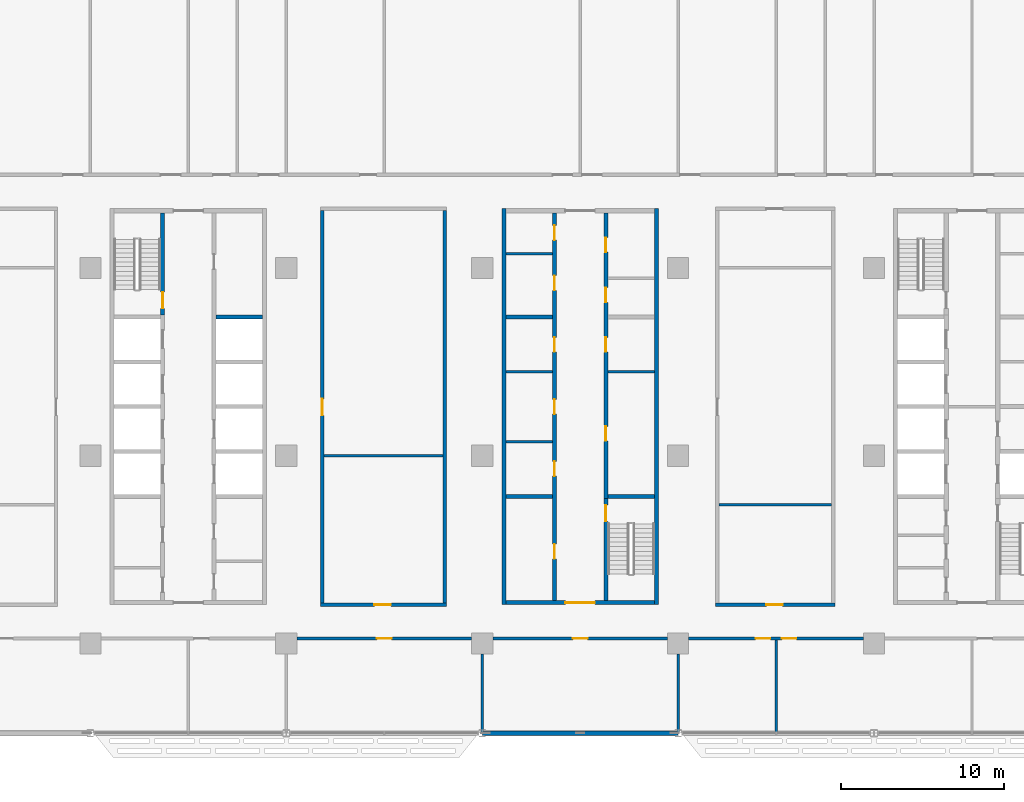
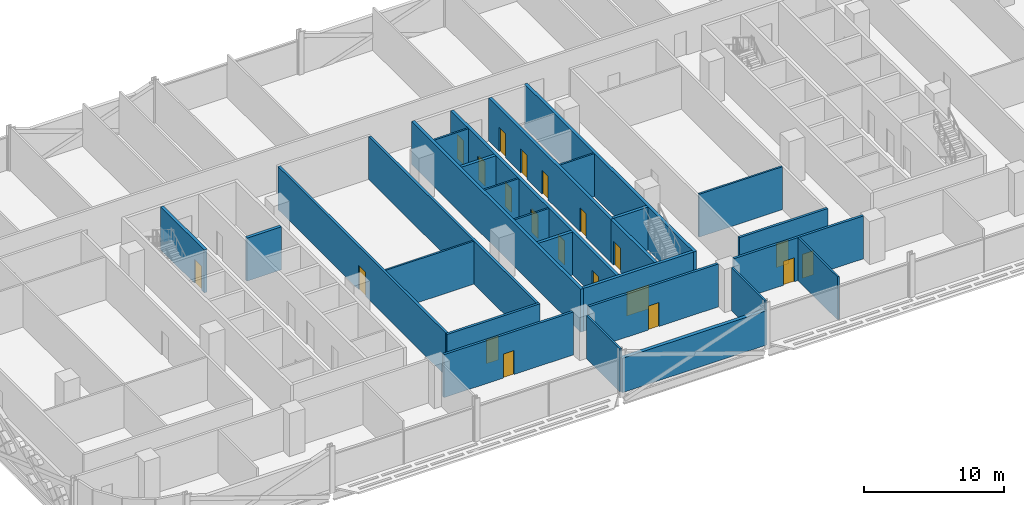
# One storey, part 14 of 29: 28 walls, 20 doors, 20 openings.
"""IFC4 building model written with IfcOpenShell, lengths in metres."""

from ifc_helpers import new_model, si_unit, direction, frame, frame_2d, origin, place, context, subcontext, project, spatial, rectangle, extrude, material, layer, layer_set, type_object, element, fill, save


model = new_model("IFC4")

# Units and contexts
model_context = context("Model", 3, precision=1e-05, world=origin(), true_north=direction((0.0, 1.0)))
body_context = subcontext(model_context, "Body", "Model", "MODEL_VIEW")
ifc_project = project(units=[si_unit("LENGTHUNIT", "METRE"), si_unit("AREAUNIT", "SQUARE_METRE"), si_unit("VOLUMEUNIT", "CUBIC_METRE"), si_unit("PLANEANGLEUNIT", "RADIAN"), si_unit("MASSUNIT", "GRAM", prefix="KILO")], contexts=[model_context])

# Site, building, storey
site_placement = place(None, origin())
site = spatial("IfcSite", under=ifc_project, at=site_placement, CompositionType="ELEMENT")
building_placement = place(site_placement, origin())
building = spatial("IfcBuilding", under=site, at=building_placement, Name="Mahtab Terrace Research Tower", CompositionType="ELEMENT")
storey_placement = place(building_placement, frame((0.0, 0.0, 126.10009765625)))
storey = spatial("IfcBuildingStorey", under=building, at=storey_placement, Name="L29", CompositionType="ELEMENT", Elevation=126.10009765625)

# Walls
ifc_material_1 = material(Name="Gypsum board partition")
ifc_layer_1 = layer(ifc_material_1, 0.14990234375)
ifc_layer_set_1 = layer_set([ifc_layer_1], Name="Core partition 150")
wall_type_1 = type_object("IfcWallType", Name="Core partition 150", PredefinedType="PARTITIONING", material=ifc_layer_set_1)
for number, where, z_axis, x_axis, name in (
    (1, (-4.550048828125, 0.85009765625, 0.0), (0.0, 0.0, 1.0), (1.0, 0.0, 0.0), "Core wall B pWL-215"),
    (2, (-4.550048828125, 5.14990234375, 0.0), (0.0, 0.0, 1.0), (1.0, 0.0, 0.0), "Core wall B pWL215"),
    (3, (1.699951171875, 5.14990234375, 0.0), (0.0, 0.0, 1.0), (1.0, 0.0, 0.0), "Core wall B pEL215"),
    (4, (-4.550048828125, 12.35498046875, 0.0), (0.0, 0.0, 1.0), (1.0, 0.0, 0.0), "Core wall B pWN936"),
):
    element("IfcWall", number, at=place(storey_placement, frame(where, z_axis=z_axis, x_axis=x_axis)), inside=storey, type_object=wall_type_1, Name=name, PredefinedType="PARTITIONING", context=body_context, shape_type="SweptSolid", body=[
        extrude(rectangle(XDim=2.85009765625, YDim=0.14990234375, at=frame_2d((1.425048828125, 0.0))), origin(), (0.0, 0.0, 1.0), 3.760009765625),
    ])

# Wall, opening, door
ifc_material_2 = material(Name="Concrete C70/85", Category="concrete")
ifc_layer_2 = layer(ifc_material_2, 0.25)
ifc_layer_set_2 = layer_set([ifc_layer_2], Name="Core wall 250")
wall_type_2 = type_object("IfcWallType", Name="Core wall 250", PredefinedType="SOLIDWALL", material=ifc_layer_set_2)
wall_1_placement = place(storey_placement, frame((-25.574951171875, 14.875, 0.0), z_axis=(0.0, 0.0, 1.0), x_axis=(0.0, -1.0, 0.0)))
wall_1 = element("IfcWall", 5, at=wall_1_placement, inside=storey, type_object=wall_type_2, Name="Core wall A innerWN", PredefinedType="SOLIDWALL", context=body_context, shape_type="SweptSolid", body=[
    extrude(rectangle(XDim=6.25, YDim=0.25, at=frame_2d((3.125, 0.0))), origin(), (0.0, 0.0, 1.0), 3.760009765625),
])
opening_1_placement = place(wall_1_placement, frame((4.85009765625, 0.0, 0.0)))
opening_1 = element("IfcOpeningElement", 6, at=opening_1_placement, cuts=wall_1, Name="Opening A-ST1", PredefinedType="OPENING", context=body_context, shape_type="SweptSolid", body=[
    extrude(rectangle(XDim=1.0, YDim=2.10009765625, at=frame_2d((0.5, 1.050048828125))), frame((0.0, 0.135009765625, 0.0), z_axis=(0.0, -1.0, 0.0), x_axis=(1.0, 0.0, 0.0)), (0.0, 0.0, 1.0), 0.27001953125),
])
ifc_material_3 = material(Name="Steel fire door", Category="steel")
door_type_1 = type_object("IfcDoorType", Name="Stair door 1000x2100 1.5 HR", OperationType="NOTDEFINED", PredefinedType="DOOR", material=ifc_material_3)
door_1_placement = place(opening_1_placement, origin())
door_1 = element("IfcDoor", 7, at=door_1_placement, inside=storey, type_object=door_type_1, Name="Stair door ST1 L29", OperationType="SINGLE_SWING_RIGHT", OverallHeight=2.10009765625, OverallWidth=1.0, PredefinedType="DOOR", context=body_context, shape_type="SweptSolid", body=[
    extrude(rectangle(XDim=1.0, YDim=2.10009765625, at=frame_2d((0.5, 1.050048828125))), frame((0.0, 0.02490234375, 0.0), z_axis=(0.0, -1.0, 0.0), x_axis=(1.0, 0.0, 0.0)), (0.0, 0.0, 1.0), 0.050048828125),
])
fill(opening_1, door_1)

# Walls
wall_2_placement = place(storey_placement, frame((-22.300048828125, 8.5, 0.0), z_axis=(0.0, 0.0, 1.0), x_axis=(1.0, 0.0, 0.0)))
element("IfcWall", 8, at=wall_2_placement, inside=storey, type_object=wall_type_2, Name="Core wall A divE4", PredefinedType="SOLIDWALL", context=body_context, shape_type="SweptSolid", body=[
    extrude(rectangle(XDim=2.85009765625, YDim=0.25, at=frame_2d((1.425048828125, 0.0))), origin(), (0.0, 0.0, 1.0), 3.760009765625),
])
for number, where, z_axis, x_axis, name in (
    (9, (-4.675048828125, 15.125, 0.0), (0.0, 0.0, 1.0), (0.0, -1.0, 0.0), "Core wall B outerW"),
    (10, (4.675048828125, -9.125, 0.0), (0.0, 0.0, 1.0), (0.0, 1.0, 0.0), "Core wall B outerE"),
):
    element("IfcWall", number, at=place(storey_placement, frame(where, z_axis=z_axis, x_axis=x_axis)), inside=storey, type_object=wall_type_2, Name=name, PredefinedType="SOLIDWALL", context=body_context, shape_type="SweptSolid", body=[
        extrude(rectangle(XDim=24.25, YDim=0.25, at=frame_2d((12.125, 0.0))), origin(), (0.0, 0.0, 1.0), 3.760009765625),
    ])

# Wall, opening, door
wall_3_placement = place(storey_placement, frame((4.550048828125, -9.0, 0.0), z_axis=(0.0, 0.0, 1.0), x_axis=(-1.0, 0.0, 0.0)))
wall_3 = element("IfcWall", 11, at=wall_3_placement, inside=storey, type_object=wall_type_2, Name="Core wall B endS", PredefinedType="SOLIDWALL", context=body_context, shape_type="SweptSolid", body=[
    extrude(rectangle(XDim=9.10009765625, YDim=0.25, at=frame_2d((4.550048828125, 0.0))), origin(), (0.0, 0.0, 1.0), 3.760009765625),
])
opening_2_placement = place(wall_3_placement, frame((3.64990234375, 0.0, 0.0)))
opening_2 = element("IfcOpeningElement", 12, at=opening_2_placement, cuts=wall_3, Name="Opening B-S1", PredefinedType="OPENING", context=body_context, shape_type="SweptSolid", body=[
    extrude(rectangle(XDim=1.800048828125, YDim=2.10009765625, at=frame_2d((0.89990234375, 1.050048828125))), frame((0.0, 0.135009765625, 0.0), z_axis=(0.0, -1.0, 0.0), x_axis=(1.0, 0.0, 0.0)), (0.0, 0.0, 1.0), 0.27001953125),
])
door_type_2 = type_object("IfcDoorType", Name="Lobby double door 1800x2100 1 HR", OperationType="DOUBLE_DOOR_SINGLE_SWING", PredefinedType="DOOR", material=ifc_material_3)
door_2_placement = place(opening_2_placement, origin())
door_2 = element("IfcDoor", 13, at=door_2_placement, inside=storey, type_object=door_type_2, Name="Core entrance door B S", OperationType="DOUBLE_DOOR_SINGLE_SWING", OverallHeight=2.10009765625, OverallWidth=1.800048828125, PredefinedType="DOOR", context=body_context, shape_type="SweptSolid", body=[
    extrude(rectangle(XDim=1.800048828125, YDim=2.10009765625, at=frame_2d((0.89990234375, 1.050048828125))), frame((0.0, 0.02490234375, 0.0), z_axis=(0.0, -1.0, 0.0), x_axis=(1.0, 0.0, 0.0)), (0.0, 0.0, 1.0), 0.050048828125),
])
fill(opening_2, door_2)

# Wall, openings, doors
wall_4_placement = place(storey_placement, frame((-1.574951171875, -8.875, 0.0), z_axis=(0.0, 0.0, 1.0), x_axis=(0.0, 1.0, 0.0)))
wall_4 = element("IfcWall", 14, at=wall_4_placement, inside=storey, type_object=wall_type_2, Name="Core wall B innerWSLN", PredefinedType="SOLIDWALL", context=body_context, shape_type="SweptSolid", body=[
    extrude(rectangle(XDim=23.75, YDim=0.25, at=frame_2d((11.875, 0.0))), origin(), (0.0, 0.0, 1.0), 3.760009765625),
])
opening_3_placement = place(wall_4_placement, frame((7.625, 0.0, 0.0)))
opening_3 = element("IfcOpeningElement", 15, at=opening_3_placement, cuts=wall_4, Name="Opening B-R1", PredefinedType="OPENING", context=body_context, shape_type="SweptSolid", body=[
    extrude(rectangle(XDim=0.89990234375, YDim=2.10009765625, at=frame_2d((0.449951171875, 1.050048828125))), frame((0.0, 0.135009765625, 0.0), z_axis=(0.0, -1.0, 0.0), x_axis=(1.0, 0.0, 0.0)), (0.0, 0.0, 1.0), 0.27001953125),
])
opening_4_placement = place(wall_4_placement, frame((11.425048828125, 0.0, 0.0)))
opening_4 = element("IfcOpeningElement", 16, at=opening_4_placement, cuts=wall_4, Name="Opening B-R2", PredefinedType="OPENING", context=body_context, shape_type="SweptSolid", body=[
    extrude(rectangle(XDim=0.89990234375, YDim=2.10009765625, at=frame_2d((0.449951171875, 1.050048828125))), frame((0.0, 0.135009765625, 0.0), z_axis=(0.0, -1.0, 0.0), x_axis=(1.0, 0.0, 0.0)), (0.0, 0.0, 1.0), 0.27001953125),
])
opening_5_placement = place(wall_4_placement, frame((15.22509765625, 0.0, 0.0)))
opening_5 = element("IfcOpeningElement", 17, at=opening_5_placement, cuts=wall_4, Name="Opening B-R3", PredefinedType="OPENING", context=body_context, shape_type="SweptSolid", body=[
    extrude(rectangle(XDim=0.89990234375, YDim=2.10009765625, at=frame_2d((0.449951171875, 1.050048828125))), frame((0.0, 0.135009765625, 0.0), z_axis=(0.0, -1.0, 0.0), x_axis=(1.0, 0.0, 0.0)), (0.0, 0.0, 1.0), 0.27001953125),
])
opening_6_placement = place(wall_4_placement, frame((2.550048828125, 0.0, 0.0)))
opening_6 = element("IfcOpeningElement", 18, at=opening_6_placement, cuts=wall_4, Name="Opening B-R6", PredefinedType="OPENING", context=body_context, shape_type="SweptSolid", body=[
    extrude(rectangle(XDim=0.89990234375, YDim=2.10009765625, at=frame_2d((0.449951171875, 1.050048828125))), frame((0.0, 0.135009765625, 0.0), z_axis=(0.0, -1.0, 0.0), x_axis=(1.0, 0.0, 0.0)), (0.0, 0.0, 1.0), 0.27001953125),
])
opening_7_placement = place(wall_4_placement, frame((19.00244140625, 0.0, 0.0)))
opening_7 = element("IfcOpeningElement", 19, at=opening_7_placement, cuts=wall_4, Name="Opening B-R7", PredefinedType="OPENING", context=body_context, shape_type="SweptSolid", body=[
    extrude(rectangle(XDim=0.89990234375, YDim=2.10009765625, at=frame_2d((0.449951171875, 1.050048828125))), frame((0.0, 0.135009765625, 0.0), z_axis=(0.0, -1.0, 0.0), x_axis=(1.0, 0.0, 0.0)), (0.0, 0.0, 1.0), 0.27001953125),
])
opening_8_placement = place(wall_4_placement, frame((22.077392578125, 0.0, 0.0)))
opening_8 = element("IfcOpeningElement", 20, at=opening_8_placement, cuts=wall_4, Name="Opening B-R8", PredefinedType="OPENING", context=body_context, shape_type="SweptSolid", body=[
    extrude(rectangle(XDim=0.89990234375, YDim=2.10009765625, at=frame_2d((0.449951171875, 1.050048828125))), frame((0.0, 0.135009765625, 0.0), z_axis=(0.0, -1.0, 0.0), x_axis=(1.0, 0.0, 0.0)), (0.0, 0.0, 1.0), 0.27001953125),
])
door_type_3 = type_object("IfcDoorType", Name="Room door 900x2100 1 HR", OperationType="NOTDEFINED", PredefinedType="DOOR", material=ifc_material_3)
door_3_placement = place(opening_3_placement, origin())
door_3 = element("IfcDoor", 21, at=door_3_placement, inside=storey, type_object=door_type_3, Name="Electrical room door", OperationType="SINGLE_SWING_LEFT", OverallHeight=2.10009765625, OverallWidth=0.89990234375, PredefinedType="DOOR", context=body_context, shape_type="SweptSolid", body=[
    extrude(rectangle(XDim=0.89990234375, YDim=2.10009765625, at=frame_2d((0.449951171875, 1.050048828125))), frame((0.0, 0.02490234375, 0.0), z_axis=(0.0, -1.0, 0.0), x_axis=(1.0, 0.0, 0.0)), (0.0, 0.0, 1.0), 0.050048828125),
])
fill(opening_3, door_3)
door_4_placement = place(opening_4_placement, origin())
door_4 = element("IfcDoor", 22, at=door_4_placement, inside=storey, type_object=door_type_3, Name="Pantry door", OperationType="SINGLE_SWING_RIGHT", OverallHeight=2.10009765625, OverallWidth=0.89990234375, PredefinedType="DOOR", context=body_context, shape_type="SweptSolid", body=[
    extrude(rectangle(XDim=0.89990234375, YDim=2.10009765625, at=frame_2d((0.449951171875, 1.050048828125))), frame((0.0, 0.02490234375, 0.0), z_axis=(0.0, -1.0, 0.0), x_axis=(1.0, 0.0, 0.0)), (0.0, 0.0, 1.0), 0.050048828125),
])
fill(opening_4, door_4)
door_5_placement = place(opening_5_placement, origin())
door_5 = element("IfcDoor", 23, at=door_5_placement, inside=storey, type_object=door_type_3, Name="Housekeeping store door", OperationType="SINGLE_SWING_LEFT", OverallHeight=2.10009765625, OverallWidth=0.89990234375, PredefinedType="DOOR", context=body_context, shape_type="SweptSolid", body=[
    extrude(rectangle(XDim=0.89990234375, YDim=2.10009765625, at=frame_2d((0.449951171875, 1.050048828125))), frame((0.0, 0.02490234375, 0.0), z_axis=(0.0, -1.0, 0.0), x_axis=(1.0, 0.0, 0.0)), (0.0, 0.0, 1.0), 0.050048828125),
])
fill(opening_5, door_5)
door_6_placement = place(opening_6_placement, origin())
door_6 = element("IfcDoor", 24, at=door_6_placement, inside=storey, type_object=door_type_3, Name="Gas cylinder store door", OperationType="SINGLE_SWING_RIGHT", OverallHeight=2.10009765625, OverallWidth=0.89990234375, PredefinedType="DOOR", context=body_context, shape_type="SweptSolid", body=[
    extrude(rectangle(XDim=0.89990234375, YDim=2.10009765625, at=frame_2d((0.449951171875, 1.050048828125))), frame((0.0, 0.02490234375, 0.0), z_axis=(0.0, -1.0, 0.0), x_axis=(1.0, 0.0, 0.0)), (0.0, 0.0, 1.0), 0.050048828125),
])
fill(opening_6, door_6)
door_7_placement = place(opening_7_placement, origin())
door_7 = element("IfcDoor", 25, at=door_7_placement, inside=storey, type_object=door_type_3, Name="Pantry door", OperationType="SINGLE_SWING_LEFT", OverallHeight=2.10009765625, OverallWidth=0.89990234375, PredefinedType="DOOR", context=body_context, shape_type="SweptSolid", body=[
    extrude(rectangle(XDim=0.89990234375, YDim=2.10009765625, at=frame_2d((0.449951171875, 1.050048828125))), frame((0.0, 0.02490234375, 0.0), z_axis=(0.0, -1.0, 0.0), x_axis=(1.0, 0.0, 0.0)), (0.0, 0.0, 1.0), 0.050048828125),
])
fill(opening_7, door_7)
door_8_placement = place(opening_8_placement, origin())
door_8 = element("IfcDoor", 26, at=door_8_placement, inside=storey, type_object=door_type_3, Name="Linen store door", OperationType="SINGLE_SWING_RIGHT", OverallHeight=2.10009765625, OverallWidth=0.89990234375, PredefinedType="DOOR", context=body_context, shape_type="SweptSolid", body=[
    extrude(rectangle(XDim=0.89990234375, YDim=2.10009765625, at=frame_2d((0.449951171875, 1.050048828125))), frame((0.0, 0.02490234375, 0.0), z_axis=(0.0, -1.0, 0.0), x_axis=(1.0, 0.0, 0.0)), (0.0, 0.0, 1.0), 0.050048828125),
])
fill(opening_8, door_8)

# Wall, opening, door
wall_5_placement = place(storey_placement, frame((1.574951171875, -8.875, 0.0), z_axis=(0.0, 0.0, 1.0), x_axis=(0.0, 1.0, 0.0)))
wall_5 = element("IfcWall", 27, at=wall_5_placement, inside=storey, type_object=wall_type_2, Name="Core wall B innerES", PredefinedType="SOLIDWALL", context=body_context, shape_type="SweptSolid", body=[
    extrude(rectangle(XDim=6.25, YDim=0.25, at=frame_2d((3.125, 0.0))), origin(), (0.0, 0.0, 1.0), 3.760009765625),
])
opening_9_placement = place(wall_5_placement, frame((4.85009765625, 0.0, 0.0)))
opening_9 = element("IfcOpeningElement", 28, at=opening_9_placement, cuts=wall_5, Name="Opening B-ST2", PredefinedType="OPENING", context=body_context, shape_type="SweptSolid", body=[
    extrude(rectangle(XDim=1.0, YDim=2.10009765625, at=frame_2d((0.5, 1.050048828125))), frame((0.0, 0.135009765625, 0.0), z_axis=(0.0, -1.0, 0.0), x_axis=(1.0, 0.0, 0.0)), (0.0, 0.0, 1.0), 0.27001953125),
])
door_9_placement = place(opening_9_placement, origin())
door_9 = element("IfcDoor", 29, at=door_9_placement, inside=storey, type_object=door_type_1, Name="Stair door ST2 L29", OperationType="SINGLE_SWING_LEFT", OverallHeight=2.10009765625, OverallWidth=1.0, PredefinedType="DOOR", context=body_context, shape_type="SweptSolid", body=[
    extrude(rectangle(XDim=1.0, YDim=2.10009765625, at=frame_2d((0.5, 1.050048828125))), frame((0.0, 0.02490234375, 0.0), z_axis=(0.0, -1.0, 0.0), x_axis=(1.0, 0.0, 0.0)), (0.0, 0.0, 1.0), 0.050048828125),
])
fill(opening_9, door_9)

# Wall, openings, doors
wall_6_placement = place(storey_placement, frame((1.574951171875, 14.875, 0.0), z_axis=(0.0, 0.0, 1.0), x_axis=(0.0, -1.0, 0.0)))
wall_6 = element("IfcWall", 30, at=wall_6_placement, inside=storey, type_object=wall_type_2, Name="Core wall B innerELN", PredefinedType="SOLIDWALL", context=body_context, shape_type="SweptSolid", body=[
    extrude(rectangle(XDim=17.5, YDim=0.25, at=frame_2d((8.75, 0.0))), origin(), (0.0, 0.0, 1.0), 3.760009765625),
])
opening_10_placement = place(wall_6_placement, frame((13.074951171875, 0.0, 0.0)))
opening_10 = element("IfcOpeningElement", 31, at=opening_10_placement, cuts=wall_6, Name="Opening B-R4", PredefinedType="OPENING", context=body_context, shape_type="SweptSolid", body=[
    extrude(rectangle(XDim=0.89990234375, YDim=2.10009765625, at=frame_2d((0.449951171875, 1.050048828125))), frame((0.0, 0.135009765625, 0.0), z_axis=(0.0, -1.0, 0.0), x_axis=(1.0, 0.0, 0.0)), (0.0, 0.0, 1.0), 0.27001953125),
])
opening_11_placement = place(wall_6_placement, frame((7.625, 0.0, 0.0)))
opening_11 = element("IfcOpeningElement", 32, at=opening_11_placement, cuts=wall_6, Name="Opening B-R5", PredefinedType="OPENING", context=body_context, shape_type="SweptSolid", body=[
    extrude(rectangle(XDim=0.89990234375, YDim=2.10009765625, at=frame_2d((0.449951171875, 1.050048828125))), frame((0.0, 0.135009765625, 0.0), z_axis=(0.0, -1.0, 0.0), x_axis=(1.0, 0.0, 0.0)), (0.0, 0.0, 1.0), 0.27001953125),
])
opening_12_placement = place(wall_6_placement, frame((4.58740234375, 0.0, 0.0)))
opening_12 = element("IfcOpeningElement", 33, at=opening_12_placement, cuts=wall_6, Name="Opening B-R9", PredefinedType="OPENING", context=body_context, shape_type="SweptSolid", body=[
    extrude(rectangle(XDim=0.89990234375, YDim=2.10009765625, at=frame_2d((0.449951171875, 1.050048828125))), frame((0.0, 0.135009765625, 0.0), z_axis=(0.0, -1.0, 0.0), x_axis=(1.0, 0.0, 0.0)), (0.0, 0.0, 1.0), 0.27001953125),
])
opening_13_placement = place(wall_6_placement, frame((1.512451171875, 0.0, 0.0)))
opening_13 = element("IfcOpeningElement", 34, at=opening_13_placement, cuts=wall_6, Name="Opening B-R10", PredefinedType="OPENING", context=body_context, shape_type="SweptSolid", body=[
    extrude(rectangle(XDim=0.89990234375, YDim=2.10009765625, at=frame_2d((0.449951171875, 1.050048828125))), frame((0.0, 0.135009765625, 0.0), z_axis=(0.0, -1.0, 0.0), x_axis=(1.0, 0.0, 0.0)), (0.0, 0.0, 1.0), 0.27001953125),
])
door_10_placement = place(opening_10_placement, origin())
door_10 = element("IfcDoor", 35, at=door_10_placement, inside=storey, type_object=door_type_3, Name="Chemical store door", OperationType="SINGLE_SWING_RIGHT", OverallHeight=2.10009765625, OverallWidth=0.89990234375, PredefinedType="DOOR", context=body_context, shape_type="SweptSolid", body=[
    extrude(rectangle(XDim=0.89990234375, YDim=2.10009765625, at=frame_2d((0.449951171875, 1.050048828125))), frame((0.0, 0.02490234375, 0.0), z_axis=(0.0, -1.0, 0.0), x_axis=(1.0, 0.0, 0.0)), (0.0, 0.0, 1.0), 0.050048828125),
])
fill(opening_10, door_10)
door_11_placement = place(opening_11_placement, origin())
door_11 = element("IfcDoor", 36, at=door_11_placement, inside=storey, type_object=door_type_3, Name="Waste room door", OperationType="SINGLE_SWING_LEFT", OverallHeight=2.10009765625, OverallWidth=0.89990234375, PredefinedType="DOOR", context=body_context, shape_type="SweptSolid", body=[
    extrude(rectangle(XDim=0.89990234375, YDim=2.10009765625, at=frame_2d((0.449951171875, 1.050048828125))), frame((0.0, 0.02490234375, 0.0), z_axis=(0.0, -1.0, 0.0), x_axis=(1.0, 0.0, 0.0)), (0.0, 0.0, 1.0), 0.050048828125),
])
fill(opening_11, door_11)
door_12_placement = place(opening_12_placement, origin())
door_12 = element("IfcDoor", 37, at=door_12_placement, inside=storey, type_object=door_type_3, Name="Accessible WC door", OperationType="SINGLE_SWING_LEFT", OverallHeight=2.10009765625, OverallWidth=0.89990234375, PredefinedType="DOOR", context=body_context, shape_type="SweptSolid", body=[
    extrude(rectangle(XDim=0.89990234375, YDim=2.10009765625, at=frame_2d((0.449951171875, 1.050048828125))), frame((0.0, 0.02490234375, 0.0), z_axis=(0.0, -1.0, 0.0), x_axis=(1.0, 0.0, 0.0)), (0.0, 0.0, 1.0), 0.050048828125),
])
fill(opening_12, door_12)
door_13_placement = place(opening_13_placement, origin())
door_13 = element("IfcDoor", 38, at=door_13_placement, inside=storey, type_object=door_type_3, Name="WC block door", OperationType="SINGLE_SWING_RIGHT", OverallHeight=2.10009765625, OverallWidth=0.89990234375, PredefinedType="DOOR", context=body_context, shape_type="SweptSolid", body=[
    extrude(rectangle(XDim=0.89990234375, YDim=2.10009765625, at=frame_2d((0.449951171875, 1.050048828125))), frame((0.0, 0.02490234375, 0.0), z_axis=(0.0, -1.0, 0.0), x_axis=(1.0, 0.0, 0.0)), (0.0, 0.0, 1.0), 0.050048828125),
])
fill(opening_13, door_13)

# Walls
for number, where, z_axis, x_axis, name in (
    (39, (-4.550048828125, -2.5, 0.0), (0.0, 0.0, 1.0), (1.0, 0.0, 0.0), "Core wall B divW0"),
    (40, (-4.550048828125, 8.5, 0.0), (0.0, 0.0, 1.0), (1.0, 0.0, 0.0), "Core wall B divW4"),
    (41, (1.699951171875, -2.5, 0.0), (0.0, 0.0, 1.0), (1.0, 0.0, 0.0), "Core wall B divE0"),
):
    element("IfcWall", number, at=place(storey_placement, frame(where, z_axis=z_axis, x_axis=x_axis)), inside=storey, type_object=wall_type_2, Name=name, PredefinedType="SOLIDWALL", context=body_context, shape_type="SweptSolid", body=[
        extrude(rectangle(XDim=2.85009765625, YDim=0.25, at=frame_2d((1.425048828125, 0.0))), origin(), (0.0, 0.0, 1.0), 3.760009765625),
    ])
ifc_material_4 = material(Name="Black aluminium cladding panel", Category="aluminium")
ifc_layer_3 = layer(ifc_material_4, 0.300048828125)
ifc_layer_set_3 = layer_set([ifc_layer_3], Name="Opaque facade wall 300")
wall_type_3 = type_object("IfcWallType", Name="Opaque facade wall 300", PredefinedType="NOTDEFINED", material=ifc_layer_set_3)
wall_7_placement = place(storey_placement, frame((-5.982177734375, -17.0, 0.0), z_axis=(0.0, 0.0, 1.0), x_axis=(1.0, 0.0, 0.0)))
element("IfcWall", 42, at=wall_7_placement, inside=storey, type_object=wall_type_3, Name="Opaque facade wall L29 S27", PredefinedType="NOTDEFINED", context=body_context, shape_type="SweptSolid", body=[
    extrude(rectangle(XDim=11.96435546875, YDim=0.300048828125, at=frame_2d((5.982177734375, 0.0))), origin(), (0.0, 0.0, 1.0), 3.0029296875),
])

# Wall, opening, door
ifc_material_5 = material(Name="Gypsum board corridor wall on steel studs", Category="steel")
ifc_layer_4 = layer(ifc_material_5, 0.199951171875)
ifc_layer_set_4 = layer_set([ifc_layer_4], Name="WALL CORRIDOR 200")
wall_type_4 = type_object("IfcWallType", Name="WALL CORRIDOR 200", PredefinedType="PARTITIONING", material=ifc_layer_set_4)
wall_8_placement = place(storey_placement, frame((-17.35009765625, -11.199951171875, 0.0), z_axis=(0.0, 0.0, 1.0), x_axis=(1.0, 0.0, 0.0)))
wall_8 = element("IfcWall", 43, at=wall_8_placement, inside=storey, type_object=wall_type_4, Name="L29-W004", PredefinedType="PARTITIONING", context=body_context, shape_type="SweptSolid", body=[
    extrude(rectangle(XDim=10.7001953125, YDim=0.199951171875, at=frame_2d((5.35009765625, 0.0))), origin(), (0.0, 0.0, 1.0), 3.760009765625),
])
opening_14_placement = place(wall_8_placement, frame((4.89990234375, 0.0, 0.0)))
opening_14 = element("IfcOpeningElement", 44, at=opening_14_placement, cuts=wall_8, Name="Opening L29-104", PredefinedType="OPENING", context=body_context, shape_type="SweptSolid", body=[
    extrude(rectangle(XDim=0.89990234375, YDim=2.10009765625, at=frame_2d((0.449951171875, 1.050048828125))), frame((0.0, 0.10986328125, 0.0), z_axis=(0.0, -1.0, 0.0), x_axis=(1.0, 0.0, 0.0)), (0.0, 0.0, 1.0), 0.219970703125),
])
ifc_material_6 = material(Name="Timber door leaf in steel frame", Category="steel")
door_type_4 = type_object("IfcDoorType", Name="DOOR 0900X2100 FD30S", OperationType="SINGLE_SWING_LEFT", PredefinedType="DOOR", material=ifc_material_6)
door_14_placement = place(opening_14_placement, origin())
door_14 = element("IfcDoor", 45, at=door_14_placement, inside=storey, type_object=door_type_4, Name="Door L29-104", OperationType="SINGLE_SWING_LEFT", OverallHeight=2.10009765625, OverallWidth=0.89990234375, PredefinedType="DOOR", context=body_context, shape_type="SweptSolid", body=[
    extrude(rectangle(XDim=0.89990234375, YDim=2.10009765625, at=frame_2d((0.449951171875, 1.050048828125))), frame((0.0, 0.02490234375, 0.0), z_axis=(0.0, -1.0, 0.0), x_axis=(1.0, 0.0, 0.0)), (0.0, 0.0, 1.0), 0.050048828125),
])
fill(opening_14, door_14)

wall_9_placement = place(storey_placement, frame((-5.35009765625, -11.199951171875, 0.0), z_axis=(0.0, 0.0, 1.0), x_axis=(1.0, 0.0, 0.0)))
wall_9 = element("IfcWall", 46, at=wall_9_placement, inside=storey, type_object=wall_type_4, Name="L29-W005", PredefinedType="PARTITIONING", context=body_context, shape_type="SweptSolid", body=[
    extrude(rectangle(XDim=10.7001953125, YDim=0.199951171875, at=frame_2d((5.35009765625, 0.0))), origin(), (0.0, 0.0, 1.0), 3.760009765625),
])
opening_15_placement = place(wall_9_placement, frame((4.89990234375, 0.0, 0.0)))
opening_15 = element("IfcOpeningElement", 47, at=opening_15_placement, cuts=wall_9, Name="Opening L29-105", PredefinedType="OPENING", context=body_context, shape_type="SweptSolid", body=[
    extrude(rectangle(XDim=0.89990234375, YDim=2.10009765625, at=frame_2d((0.449951171875, 1.050048828125))), frame((0.0, 0.10986328125, 0.0), z_axis=(0.0, -1.0, 0.0), x_axis=(1.0, 0.0, 0.0)), (0.0, 0.0, 1.0), 0.219970703125),
])
door_15_placement = place(opening_15_placement, origin())
door_15 = element("IfcDoor", 48, at=door_15_placement, inside=storey, type_object=door_type_4, Name="Door L29-105", OperationType="SINGLE_SWING_LEFT", OverallHeight=2.10009765625, OverallWidth=0.89990234375, PredefinedType="DOOR", context=body_context, shape_type="SweptSolid", body=[
    extrude(rectangle(XDim=0.89990234375, YDim=2.10009765625, at=frame_2d((0.449951171875, 1.050048828125))), frame((0.0, 0.02490234375, 0.0), z_axis=(0.0, -1.0, 0.0), x_axis=(1.0, 0.0, 0.0)), (0.0, 0.0, 1.0), 0.050048828125),
])
fill(opening_15, door_15)

# Wall, openings, doors
wall_10_placement = place(storey_placement, frame((6.64990234375, -11.199951171875, 0.0), z_axis=(0.0, 0.0, 1.0), x_axis=(1.0, 0.0, 0.0)))
wall_10 = element("IfcWall", 49, at=wall_10_placement, inside=storey, type_object=wall_type_4, Name="L29-W006", PredefinedType="PARTITIONING", context=body_context, shape_type="SweptSolid", body=[
    extrude(rectangle(XDim=10.7001953125, YDim=0.199951171875, at=frame_2d((5.35009765625, 0.0))), origin(), (0.0, 0.0, 1.0), 3.760009765625),
])
opening_16_placement = place(wall_10_placement, frame((4.10009765625, 0.0, 0.0)))
opening_16 = element("IfcOpeningElement", 50, at=opening_16_placement, cuts=wall_10, Name="Opening L29-106", PredefinedType="OPENING", context=body_context, shape_type="SweptSolid", body=[
    extrude(rectangle(XDim=0.89990234375, YDim=2.10009765625, at=frame_2d((0.449951171875, 1.050048828125))), frame((0.0, 0.10986328125, 0.0), z_axis=(0.0, -1.0, 0.0), x_axis=(1.0, 0.0, 0.0)), (0.0, 0.0, 1.0), 0.219970703125),
])
opening_17_placement = place(wall_10_placement, frame((5.699951171875, 0.0, 0.0)))
opening_17 = element("IfcOpeningElement", 51, at=opening_17_placement, cuts=wall_10, Name="Opening L29-107", PredefinedType="OPENING", context=body_context, shape_type="SweptSolid", body=[
    extrude(rectangle(XDim=0.89990234375, YDim=2.10009765625, at=frame_2d((0.449951171875, 1.050048828125))), frame((0.0, 0.10986328125, 0.0), z_axis=(0.0, -1.0, 0.0), x_axis=(1.0, 0.0, 0.0)), (0.0, 0.0, 1.0), 0.219970703125),
])
door_16_placement = place(opening_16_placement, origin())
door_16 = element("IfcDoor", 52, at=door_16_placement, inside=storey, type_object=door_type_4, Name="Door L29-106", OperationType="SINGLE_SWING_RIGHT", OverallHeight=2.10009765625, OverallWidth=0.89990234375, PredefinedType="DOOR", context=body_context, shape_type="SweptSolid", body=[
    extrude(rectangle(XDim=0.89990234375, YDim=2.10009765625, at=frame_2d((0.449951171875, 1.050048828125))), frame((0.0, 0.02490234375, 0.0), z_axis=(0.0, -1.0, 0.0), x_axis=(1.0, 0.0, 0.0)), (0.0, 0.0, 1.0), 0.050048828125),
])
fill(opening_16, door_16)
door_17_placement = place(opening_17_placement, origin())
door_17 = element("IfcDoor", 53, at=door_17_placement, inside=storey, type_object=door_type_4, Name="Door L29-107", OperationType="SINGLE_SWING_LEFT", OverallHeight=2.10009765625, OverallWidth=0.89990234375, PredefinedType="DOOR", context=body_context, shape_type="SweptSolid", body=[
    extrude(rectangle(XDim=0.89990234375, YDim=2.10009765625, at=frame_2d((0.449951171875, 1.050048828125))), frame((0.0, 0.02490234375, 0.0), z_axis=(0.0, -1.0, 0.0), x_axis=(1.0, 0.0, 0.0)), (0.0, 0.0, 1.0), 0.050048828125),
])
fill(opening_17, door_17)

# Wall, opening, door
wall_11_placement = place(storey_placement, frame((-15.89990234375, -9.125, 0.0), z_axis=(0.0, 0.0, 1.0), x_axis=(1.0, 0.0, 0.0)))
wall_11 = element("IfcWall", 54, at=wall_11_placement, inside=storey, type_object=wall_type_4, Name="L29-W011", PredefinedType="PARTITIONING", context=body_context, shape_type="SweptSolid", body=[
    extrude(rectangle(XDim=7.699951171875, YDim=0.199951171875, at=frame_2d((3.85009765625, 0.0))), origin(), (0.0, 0.0, 1.0), 3.760009765625),
])
opening_18_placement = place(wall_11_placement, frame((3.300048828125, 0.0, 0.0)))
opening_18 = element("IfcOpeningElement", 55, at=opening_18_placement, cuts=wall_11, Name="Opening L29-114", PredefinedType="OPENING", context=body_context, shape_type="SweptSolid", body=[
    extrude(rectangle(XDim=1.0, YDim=2.10009765625, at=frame_2d((0.5, 1.050048828125))), frame((0.0, 0.10986328125, 0.0), z_axis=(0.0, -1.0, 0.0), x_axis=(1.0, 0.0, 0.0)), (0.0, 0.0, 1.0), 0.219970703125),
])
door_type_5 = type_object("IfcDoorType", Name="DOOR 1000X2100 FD30S", OperationType="SINGLE_SWING_LEFT", PredefinedType="DOOR", material=ifc_material_6)
door_18_placement = place(opening_18_placement, origin())
door_18 = element("IfcDoor", 56, at=door_18_placement, inside=storey, type_object=door_type_5, Name="Door L29-114", OperationType="SINGLE_SWING_LEFT", OverallHeight=2.10009765625, OverallWidth=1.0, PredefinedType="DOOR", context=body_context, shape_type="SweptSolid", body=[
    extrude(rectangle(XDim=1.0, YDim=2.10009765625, at=frame_2d((0.5, 1.050048828125))), frame((0.0, 0.02490234375, 0.0), z_axis=(0.0, -1.0, 0.0), x_axis=(1.0, 0.0, 0.0)), (0.0, 0.0, 1.0), 0.050048828125),
])
fill(opening_18, door_18)

wall_12_placement = place(storey_placement, frame((8.300048828125, -9.125, 0.0), z_axis=(0.0, 0.0, 1.0), x_axis=(1.0, 0.0, 0.0)))
wall_12 = element("IfcWall", 57, at=wall_12_placement, inside=storey, type_object=wall_type_4, Name="L29-W012", PredefinedType="PARTITIONING", context=body_context, shape_type="SweptSolid", body=[
    extrude(rectangle(XDim=7.300048828125, YDim=0.199951171875, at=frame_2d((3.64990234375, 0.0))), origin(), (0.0, 0.0, 1.0), 3.760009765625),
])
opening_19_placement = place(wall_12_placement, frame((3.10009765625, 0.0, 0.0)))
opening_19 = element("IfcOpeningElement", 58, at=opening_19_placement, cuts=wall_12, Name="Opening L29-113", PredefinedType="OPENING", context=body_context, shape_type="SweptSolid", body=[
    extrude(rectangle(XDim=1.0, YDim=2.10009765625, at=frame_2d((0.5, 1.050048828125))), frame((0.0, 0.10986328125, 0.0), z_axis=(0.0, -1.0, 0.0), x_axis=(1.0, 0.0, 0.0)), (0.0, 0.0, 1.0), 0.219970703125),
])
door_19_placement = place(opening_19_placement, origin())
door_19 = element("IfcDoor", 59, at=door_19_placement, inside=storey, type_object=door_type_5, Name="Door L29-113", OperationType="SINGLE_SWING_LEFT", OverallHeight=2.10009765625, OverallWidth=1.0, PredefinedType="DOOR", context=body_context, shape_type="SweptSolid", body=[
    extrude(rectangle(XDim=1.0, YDim=2.10009765625, at=frame_2d((0.5, 1.050048828125))), frame((0.0, 0.02490234375, 0.0), z_axis=(0.0, -1.0, 0.0), x_axis=(1.0, 0.0, 0.0)), (0.0, 0.0, 1.0), 0.050048828125),
])
fill(opening_19, door_19)

wall_13_placement = place(storey_placement, frame((-15.800048828125, -9.02490234375, 0.0), z_axis=(0.0, 0.0, 1.0), x_axis=(0.0, 1.0, 0.0)))
wall_13 = element("IfcWall", 60, at=wall_13_placement, inside=storey, type_object=wall_type_4, Name="L29-W038", PredefinedType="PARTITIONING", context=body_context, shape_type="SweptSolid", body=[
    extrude(rectangle(XDim=24.0498046875, YDim=0.199951171875, at=frame_2d((12.02490234375, 0.0))), origin(), (0.0, 0.0, 1.0), 3.760009765625),
])
opening_20_placement = place(wall_13_placement, frame((11.5, 0.0, 0.0)))
opening_20 = element("IfcOpeningElement", 61, at=opening_20_placement, cuts=wall_13, Name="Opening L29-120", PredefinedType="OPENING", context=body_context, shape_type="SweptSolid", body=[
    extrude(rectangle(XDim=1.0, YDim=2.10009765625, at=frame_2d((0.5, 1.050048828125))), frame((0.0, 0.10986328125, 0.0), z_axis=(0.0, -1.0, 0.0), x_axis=(1.0, 0.0, 0.0)), (0.0, 0.0, 1.0), 0.219970703125),
])
door_20_placement = place(opening_20_placement, origin())
door_20 = element("IfcDoor", 62, at=door_20_placement, inside=storey, type_object=door_type_5, Name="Door L29-120", OperationType="SINGLE_SWING_RIGHT", OverallHeight=2.10009765625, OverallWidth=1.0, PredefinedType="DOOR", context=body_context, shape_type="SweptSolid", body=[
    extrude(rectangle(XDim=1.0, YDim=2.10009765625, at=frame_2d((0.5, 1.050048828125))), frame((0.0, 0.02490234375, 0.0), z_axis=(0.0, -1.0, 0.0), x_axis=(1.0, 0.0, 0.0)), (0.0, 0.0, 1.0), 0.050048828125),
])
fill(opening_20, door_20)

# Walls
wall_14_placement = place(storey_placement, frame((-8.300048828125, -9.02490234375, 0.0), z_axis=(0.0, 0.0, 1.0), x_axis=(0.0, 1.0, 0.0)))
element("IfcWall", 63, at=wall_14_placement, inside=storey, type_object=wall_type_4, Name="L29-W040", PredefinedType="PARTITIONING", context=body_context, shape_type="SweptSolid", body=[
    extrude(rectangle(XDim=24.0498046875, YDim=0.199951171875, at=frame_2d((12.02490234375, 0.0))), origin(), (0.0, 0.0, 1.0), 3.760009765625),
])
ifc_material_7 = material(Name="Gypsum board partition on steel studs", Category="steel")
ifc_layer_5 = layer(ifc_material_7, 0.14990234375)
ifc_layer_set_5 = layer_set([ifc_layer_5], Name="WALL PARTITION 150")
wall_type_5 = type_object("IfcWallType", Name="WALL PARTITION 150", PredefinedType="PARTITIONING", material=ifc_layer_set_5)
wall_15_placement = place(storey_placement, frame((8.5, -3.0, 0.0), z_axis=(0.0, 0.0, 1.0), x_axis=(1.0, 0.0, 0.0)))
element("IfcWall", 64, at=wall_15_placement, inside=storey, type_object=wall_type_5, Name="L29-W015", PredefinedType="PARTITIONING", context=body_context, shape_type="SweptSolid", body=[
    extrude(rectangle(XDim=6.89990234375, YDim=0.14990234375, at=frame_2d((3.449951171875, 0.0))), origin(), (0.0, 0.0, 1.0), 3.760009765625),
])
wall_16_placement = place(storey_placement, frame((-15.699951171875, 0.0, 0.0), z_axis=(0.0, 0.0, 1.0), x_axis=(1.0, 0.0, 0.0)))
element("IfcWall", 65, at=wall_16_placement, inside=storey, type_object=wall_type_5, Name="L29-W016", PredefinedType="PARTITIONING", context=body_context, shape_type="SweptSolid", body=[
    extrude(rectangle(XDim=7.300048828125, YDim=0.14990234375, at=frame_2d((3.64990234375, 0.0))), origin(), (0.0, 0.0, 1.0), 3.760009765625),
])
for number, where, z_axis, x_axis, name in (
    (66, (-6.0, -16.97509765625, 0.0), (0.0, 0.0, 1.0), (0.0, 1.0, 0.0), "L29-W041"),
    (67, (6.0, -16.97509765625, 0.0), (0.0, 0.0, 1.0), (0.0, 1.0, 0.0), "L29-W043"),
):
    element("IfcWall", number, at=place(storey_placement, frame(where, z_axis=z_axis, x_axis=x_axis)), inside=storey, type_object=wall_type_5, Name=name, PredefinedType="PARTITIONING", context=body_context, shape_type="SweptSolid", body=[
        extrude(rectangle(XDim=4.8251953125, YDim=0.14990234375, at=frame_2d((2.41259765625, 0.0))), origin(), (0.0, 0.0, 1.0), 3.760009765625),
    ])
wall_17_placement = place(storey_placement, frame((12.0, -16.97509765625, 0.0), z_axis=(0.0, 0.0, 1.0), x_axis=(0.0, 1.0, 0.0)))
element("IfcWall", 68, at=wall_17_placement, inside=storey, type_object=wall_type_5, Name="L29-W046", PredefinedType="PARTITIONING", context=body_context, shape_type="SweptSolid", body=[
    extrude(rectangle(XDim=5.675048828125, YDim=0.14990234375, at=frame_2d((2.83740234375, 0.0))), origin(), (0.0, 0.0, 1.0), 3.760009765625),
])

save(model, "model.ifc")
